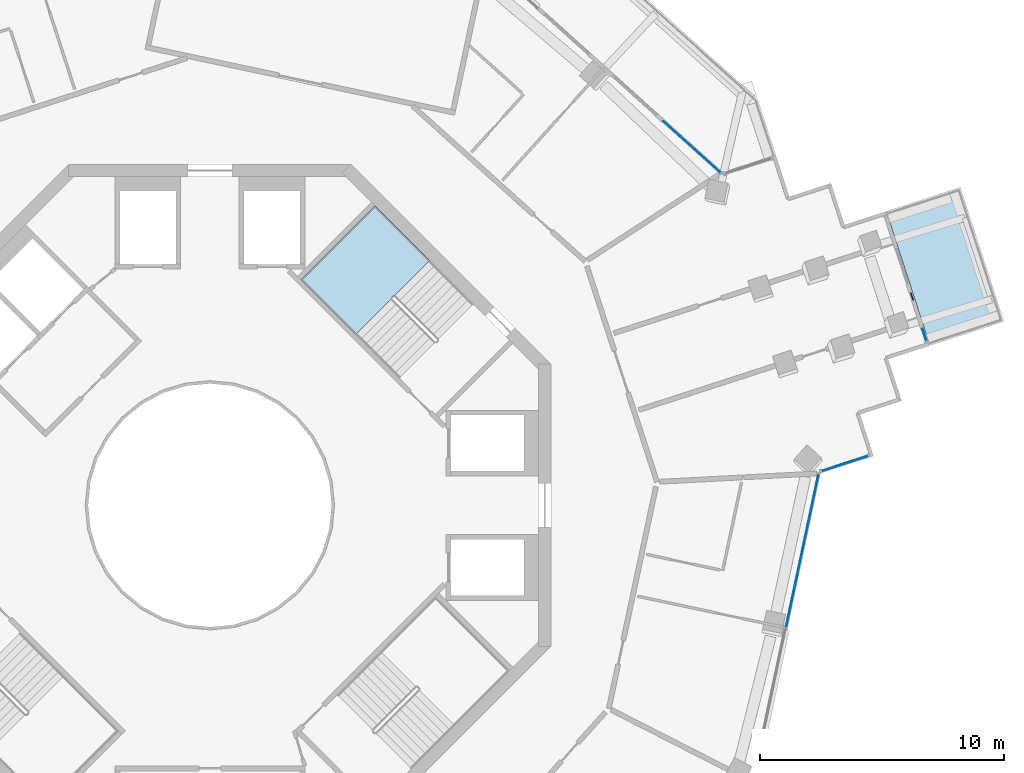
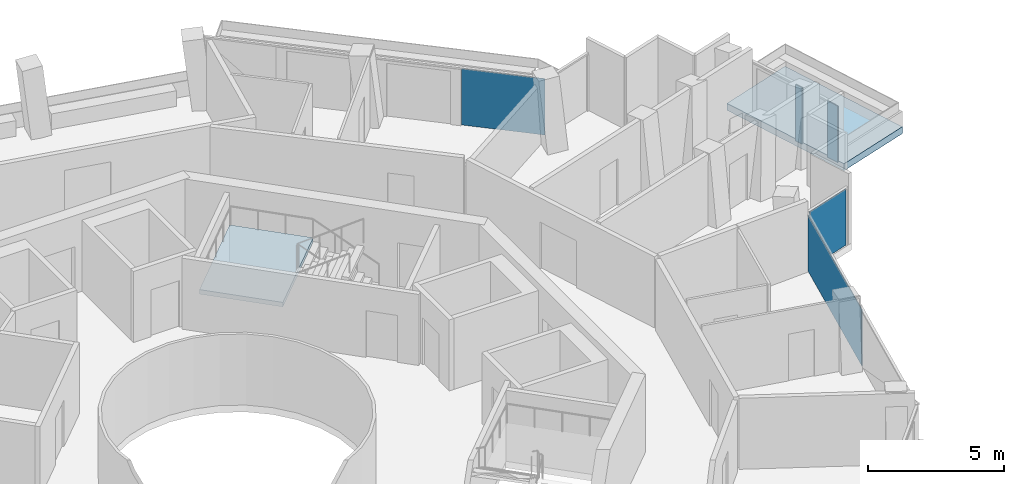
# One storey, part 13 of 22: 5 plates, 2 slabs, 5 elements without a shape of their own.
"""IFC4 building model written with IfcOpenShell, lengths in metres."""

from ifc_helpers import new_model, si_unit, direction, frame, origin, origin_2d, place, context, subcontext, project, spatial, polyline, rectangle, outline, extrude, material, layer, layer_set, type_object, element, aggregate, save


model = new_model("IFC4")

# Units and contexts
model_context = context("Model", 3, precision=1e-05, world=origin(), true_north=direction((0.0, 1.0)))
body_context = subcontext(model_context, "Body", "Model", "MODEL_VIEW")
ifc_project = project(units=[si_unit("LENGTHUNIT", "METRE"), si_unit("AREAUNIT", "SQUARE_METRE"), si_unit("VOLUMEUNIT", "CUBIC_METRE"), si_unit("PLANEANGLEUNIT", "RADIAN"), si_unit("MASSUNIT", "GRAM", prefix="KILO")], contexts=[model_context])

# Site, building, storey
site_placement = place(None, origin())
site = spatial("IfcSite", under=ifc_project, at=site_placement, CompositionType="ELEMENT")
building_placement = place(site_placement, origin())
building = spatial("IfcBuilding", under=site, at=building_placement, Name="Verdalira Terraces Hotel", CompositionType="ELEMENT")
storey_placement = place(building_placement, frame((0.0, 0.0, 230.5)))
storey = spatial("IfcBuildingStorey", under=building, at=storey_placement, Name="L56", CompositionType="ELEMENT", Elevation=230.5)

# Slab
ifc_material_1 = material(Name="Precast concrete C40/50", Category="concrete")
ifc_layer_1 = layer(ifc_material_1, 0.31005859375)
ifc_layer_set_1 = layer_set([ifc_layer_1], Name="Balcony deck 310")
slab_type_1 = type_object("IfcSlabType", Name="Balcony deck 310", PredefinedType="FLOOR", material=ifc_layer_set_1)
slab_1_placement = place(storey_placement, frame((0.0, 0.0, -0.310059)))
element("IfcSlab", 1, at=slab_1_placement, inside=storey, type_object=slab_type_1, Name="Balcony deck", PredefinedType="FLOOR", context=body_context, shape_type="SweptSolid", body=[
    extrude(outline(polyline([(30.817627, 13.0625), (27.774414, 12.07373), (29.56665, 6.557617), (32.609863, 7.546387), (30.817627, 13.0625)])), origin(), (0.0, 0.0, 1.0), 0.310059),
])

# Curtain wall, plate
ifc_material_2 = material(Name="Clear glass", Category="glass")
ifc_layer_2 = layer(ifc_material_2, 0.14990234375)
ifc_layer_set_2 = layer_set([ifc_layer_2], Name="CW1 curtain wall")
curtain_wall_type_1 = type_object("IfcCurtainWallType", Name="CW1 curtain wall", PredefinedType="NOTDEFINED", material=ifc_layer_set_2)
curtain_wall_1_placement = place(storey_placement, origin())
curtain_wall_1 = element("IfcCurtainWall", 2, at=curtain_wall_1_placement, inside=storey, type_object=curtain_wall_type_1, Name="CW1 curtain wall L56 edge 27", PredefinedType="NOTDEFINED")
ifc_material_3 = material(Name="Clear glass", Category="glass")
ifc_layer_3 = layer(ifc_material_3, 0.028076171875)
ifc_layer_set_3 = layer_set([ifc_layer_3], Name="CW1 glass unit 28")
plate_type_1 = type_object("IfcPlateType", Name="CW1 glass unit 28", PredefinedType="CURTAIN_PANEL", material=ifc_layer_set_3)
plate_1_placement = place(storey_placement, frame((24.327393, -1.86377, 0.0), z_axis=(0.0, 0.0, 1.0), x_axis=(0.207911691, 0.978147601, 0.0)))
plate_1 = element("IfcPlate", 3, at=plate_1_placement, type_object=plate_type_1, Name="CW1 glass unit", PredefinedType="CURTAIN_PANEL", context=body_context, shape_type="SweptSolid", body=[
    extrude(rectangle(XDim=6.409912, YDim=0.028076, at=origin_2d()), origin(), (0.0, 0.0, 1.0), 2.524902),
])
aggregate(curtain_wall_1, [plate_1])

curtain_wall_2_placement = place(storey_placement, origin())
curtain_wall_2 = element("IfcCurtainWall", 4, at=curtain_wall_2_placement, inside=storey, type_object=curtain_wall_type_1, Name="CW1 curtain wall L56 edge 39", PredefinedType="NOTDEFINED")
plate_2_placement = place(storey_placement, frame((19.801025, 14.713135, 0.0), z_axis=(0.0, 0.0, 1.0), x_axis=(-0.743144825, 0.669130606, 0.0)))
plate_2 = element("IfcPlate", 5, at=plate_2_placement, type_object=plate_type_1, Name="CW1 glass unit", PredefinedType="CURTAIN_PANEL", context=body_context, shape_type="SweptSolid", body=[
    extrude(rectangle(XDim=3.139893, YDim=0.028076, at=origin_2d()), origin(), (0.0, 0.0, 1.0), 2.524902),
])
aggregate(curtain_wall_2, [plate_2])

ifc_material_4 = material(Name="Clear glass", Category="glass")
ifc_layer_4 = layer(ifc_material_4, 0.14990234375)
ifc_layer_set_4 = layer_set([ifc_layer_4], Name="CW2 curtain wall")
curtain_wall_type_2 = type_object("IfcCurtainWallType", Name="CW2 curtain wall", PredefinedType="NOTDEFINED", material=ifc_layer_set_4)
curtain_wall_3_placement = place(storey_placement, origin())
curtain_wall_3 = element("IfcCurtainWall", 6, at=curtain_wall_3_placement, inside=storey, type_object=curtain_wall_type_2, Name="CW2 curtain wall L56 edge 28", PredefinedType="NOTDEFINED")
ifc_material_5 = material(Name="Clear glass", Category="glass")
ifc_layer_5 = layer(ifc_material_5, 0.031982421875)
ifc_layer_set_5 = layer_set([ifc_layer_5], Name="CW2 glass unit 32")
plate_type_2 = type_object("IfcPlateType", Name="CW2 glass unit 32", PredefinedType="CURTAIN_PANEL", material=ifc_layer_set_5)
plate_3_placement = place(storey_placement, frame((26.072998, 1.716064, 0.0), z_axis=(0.0, 0.0, 1.0), x_axis=(0.951056516, 0.309016994, 0.0)))
plate_3 = element("IfcPlate", 7, at=plate_3_placement, type_object=plate_type_2, Name="CW2 glass unit", PredefinedType="CURTAIN_PANEL", context=body_context, shape_type="SweptSolid", body=[
    extrude(rectangle(XDim=1.997559, YDim=0.031982, at=origin_2d()), origin(), (0.0, 0.0, 1.0), 2.524902),
])
aggregate(curtain_wall_3, [plate_3])

# Curtain wall, plates
ifc_material_6 = material(Name="Clear glass", Category="glass")
ifc_layer_6 = layer(ifc_material_6, 0.14990234375)
ifc_layer_set_6 = layer_set([ifc_layer_6], Name="CW3 curtain wall")
curtain_wall_type_3 = type_object("IfcCurtainWallType", Name="CW3 curtain wall", PredefinedType="NOTDEFINED", material=ifc_layer_set_6)
curtain_wall_4_placement = place(storey_placement, origin())
curtain_wall_4 = element("IfcCurtainWall", 8, at=curtain_wall_4_placement, inside=storey, type_object=curtain_wall_type_3, Name="CW3 curtain wall L56 edge 33", PredefinedType="NOTDEFINED")
ifc_material_7 = material(Name="Clear glass", Category="glass")
ifc_layer_7 = layer(ifc_material_7, 0.035888671875)
ifc_layer_set_7 = layer_set([ifc_layer_7], Name="CW3 glass unit 36")
plate_type_3 = type_object("IfcPlateType", Name="CW3 glass unit 36", PredefinedType="CURTAIN_PANEL", material=ifc_layer_set_7)
plate_4_placement = place(storey_placement, frame((29.345459, 6.995605, 0.0), z_axis=(0.0, 0.0, 1.0), x_axis=(-0.309016994, 0.951056516, 0.0)))
plate_4 = element("IfcPlate", 9, at=plate_4_placement, type_object=plate_type_3, Name="CW3 glass unit", PredefinedType="CURTAIN_PANEL", context=body_context, shape_type="SweptSolid", body=[
    extrude(rectangle(XDim=0.51001, YDim=0.035889, at=origin_2d()), origin(), (0.0, 0.0, 1.0), 2.524902),
])
plate_5_placement = place(storey_placement, frame((28.830811, 8.57959, 0.0), z_axis=(0.0, 0.0, 1.0), x_axis=(-0.309016994, 0.951056516, 0.0)))
plate_5 = element("IfcPlate", 10, at=plate_5_placement, type_object=plate_type_3, Name="CW3 glass unit", PredefinedType="CURTAIN_PANEL", context=body_context, shape_type="SweptSolid", body=[
    extrude(rectangle(XDim=0.318848, YDim=0.035889, at=origin_2d()), origin(), (0.0, 0.0, 1.0), 2.524902),
])
aggregate(curtain_wall_4, [plate_4, plate_5])

# Stair, slab
ifc_material_8 = material(Name="Concrete C40", Category="concrete")
stair_type = type_object("IfcStairType", Name="Core stair 20 risers 2100 mm wide", PredefinedType="HALF_TURN_STAIR", material=ifc_material_8)
stair_placement = place(storey_placement, origin())
stair = element("IfcStair", 11, at=stair_placement, inside=storey, type_object=stair_type, Name="L56 Exit stair ST1", PredefinedType="HALF_TURN_STAIR")
ifc_material_9 = material(Name="Concrete C40", Category="concrete")
ifc_layer_8 = layer(ifc_material_9, 0.199951171875)
ifc_layer_set_8 = layer_set([ifc_layer_8], Name="Core stair landing 200 mm")
slab_type_2 = type_object("IfcSlabType", Name="Core stair landing 200 mm", PredefinedType="LANDING", material=ifc_layer_set_8)
slab_2_placement = place(storey_placement, frame((0.0, 0.0, 1.550049)))
slab_2 = element("IfcSlab", 12, at=slab_2_placement, type_object=slab_type_2, Name="ST1 landing 1", PredefinedType="LANDING", context=body_context, shape_type="SweptSolid", body=[
    extrude(outline(polyline([(9.037109, 10.054688), (6.78833, 12.303711), (3.747559, 9.263184), (5.996582, 7.01416), (9.037109, 10.054688)])), origin(), (0.0, 0.0, 1.0), 0.199951),
])
aggregate(stair, [slab_2])

save(model, "model.ifc")
